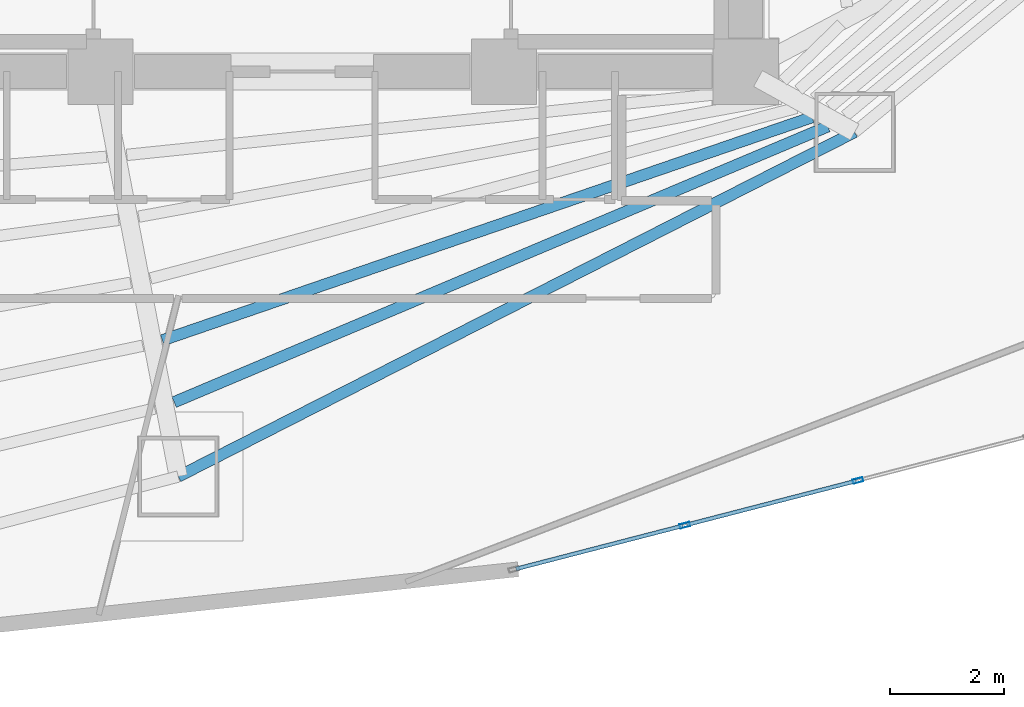
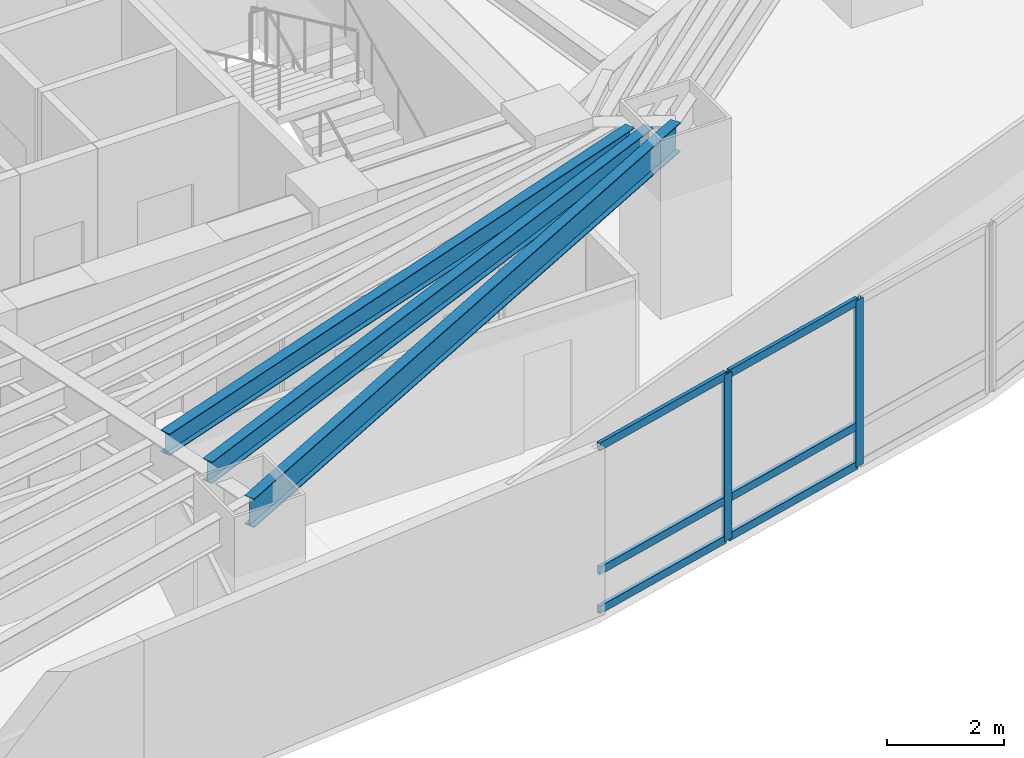
# One storey, part 5 of 20: 8 members, 3 beams, 1 element without a shape of its own.
"""IFC4 building model written with IfcOpenShell, lengths in metres."""

from ifc_helpers import new_model, si_unit, direction, frame, origin, origin_2d, place, context, subcontext, project, spatial, hollow_rectangle, i_section, extrude, material, layer, layer_set, material_profile, profile_set, type_object, element, aggregate, save


model = new_model("IFC4")

# Units and contexts
model_context = context("Model", 3, precision=1e-05, world=origin(), true_north=direction((0.0, 1.0)))
body_context = subcontext(model_context, "Body", "Model", "MODEL_VIEW")
ifc_project = project(units=[si_unit("LENGTHUNIT", "METRE"), si_unit("AREAUNIT", "SQUARE_METRE"), si_unit("VOLUMEUNIT", "CUBIC_METRE"), si_unit("PLANEANGLEUNIT", "RADIAN"), si_unit("MASSUNIT", "GRAM", prefix="KILO")], contexts=[model_context])

# Site, building, storey
site_placement = place(None, origin())
site = spatial("IfcSite", under=ifc_project, at=site_placement, CompositionType="ELEMENT")
building_placement = place(site_placement, origin())
building = spatial("IfcBuilding", under=site, at=building_placement, Name="Menara Vayukalpa", CompositionType="ELEMENT")
storey_placement = place(building_placement, frame((0.0, 0.0, 61.080078125)))
storey = spatial("IfcBuildingStorey", under=building, at=storey_placement, Name="L14", CompositionType="ELEMENT", Elevation=61.080078125)

# Beams
ifc_material_1 = material(Name="Steel S355", Category="steel")
ifc_material_profile_1 = material_profile(ifc_material_1, i_section(OverallWidth=0.199951171875, OverallDepth=0.449951171875, WebThickness=0.009033203125, FlangeThickness=0.013916015625, at=origin_2d()), Name="WF 450x200x9x14")
ifc_profile_set_1 = profile_set([ifc_material_profile_1], Name="Steel S355")
beam_type_1 = type_object("IfcBeamType", Name="BM-SJ1", PredefinedType="JOIST", material=ifc_profile_set_1)
beam_1_placement = place(storey_placement, frame((23.14013671875, 12.473876953125, 3.244873046875), z_axis=(0.945794261669, 0.324766400038, 0.0), x_axis=(-0.324766400038, 0.945794261669, 0.0)))
element("IfcBeam", 1, at=beam_1_placement, inside=storey, type_object=beam_type_1, Name="L14 Secondary Floor Joist SJ08-4", PredefinedType="JOIST", context=body_context, shape_type="SweptSolid", body=[
    extrude(i_section(OverallWidth=0.199951171875, OverallDepth=0.449951171875, WebThickness=0.009033203125, FlangeThickness=0.013916015625, at=origin_2d()), origin(), (0.0, 0.0, 1.0), 12.0849609375),
])
beam_2_placement = place(storey_placement, frame((23.34716796875, 11.385009765625, 3.244873046875), z_axis=(0.921359344435, 0.38871192215, 0.0), x_axis=(-0.38871192215, 0.921359344435, 0.0)))
element("IfcBeam", 2, at=beam_2_placement, inside=storey, type_object=beam_type_1, Name="L14 Secondary Floor Joist SJ08-5", PredefinedType="JOIST", context=body_context, shape_type="SweptSolid", body=[
    extrude(i_section(OverallWidth=0.199951171875, OverallDepth=0.449951171875, WebThickness=0.009033203125, FlangeThickness=0.013916015625, at=origin_2d()), origin(), (0.0, 0.0, 1.0), 12.48046875),
])
ifc_material_2 = material(Name="Steel S355", Category="steel")
ifc_material_profile_2 = material_profile(ifc_material_2, i_section(OverallWidth=0.199951171875, OverallDepth=0.60009765625, WebThickness=0.010986328125, FlangeThickness=0.01708984375, at=origin_2d()), Name="WF 600x200x11x17")
ifc_profile_set_2 = profile_set([ifc_material_profile_2], Name="Steel S355")
beam_type_2 = type_object("IfcBeamType", Name="BM-SP1", PredefinedType="SPANDREL", material=ifc_profile_set_2)
beam_3_placement = place(storey_placement, frame((23.41943359375, 10.0771484375, 3.169921875), z_axis=(0.891100743313, 0.453805536841, 0.0), x_axis=(-0.453805536841, 0.891100743313, 0.0)))
element("IfcBeam", 3, at=beam_3_placement, inside=storey, type_object=beam_type_2, Name="L14 Perimeter Spandrel Beam SP08", PredefinedType="SPANDREL", context=body_context, shape_type="SweptSolid", body=[
    extrude(i_section(OverallWidth=0.199951171875, OverallDepth=0.60009765625, WebThickness=0.010986328125, FlangeThickness=0.01708984375, at=origin_2d()), origin(), (0.0, 0.0, 1.0), 13.352783203125),
])

# Curtain wall, members
ifc_material_3 = material(Name="Anodised Terracotta Aluminium Alloy 6063-T6", Category="masonry")
ifc_layer = layer(ifc_material_3, 0.179931640625)
ifc_layer_set = layer_set([ifc_layer], Name="Anodised Terracotta Aluminium Alloy 6063-T6")
curtain_wall_type = type_object("IfcCurtainWallType", Name="CW-CW4", PredefinedType="USERDEFINED", material=ifc_layer_set)
curtain_wall_placement = place(storey_placement, origin())
curtain_wall = element("IfcCurtainWall", 4, at=curtain_wall_placement, inside=storey, type_object=curtain_wall_type, Name="L14 Sky Bar Cantilever Glazed Curtain Wall CW4 16", ObjectType="UNITISED", PredefinedType="USERDEFINED")
ifc_material_4 = material(Name="Anodised Terracotta Aluminium Alloy 6063-T6", Category="masonry")
ifc_material_profile_3 = material_profile(ifc_material_4, hollow_rectangle(XDim=0.074951171875, YDim=0.179931640625, WallThickness=0.00390625, at=origin_2d()), Name="ALU 75x180x4")
ifc_profile_set_3 = profile_set([ifc_material_profile_3], Name="Anodised Terracotta Aluminium Alloy 6063-T6")
member_type_1 = type_object("IfcMemberType", Name="CWM-CW4", PredefinedType="MULLION", material=ifc_profile_set_3)
member_1_placement = place(storey_placement, frame((32.332275390625, 9.219482421875, 0.0), z_axis=(0.0, 0.0, 1.0), x_axis=(-0.25040286747, 0.968141727209, 0.0)))
member_1 = element("IfcMember", 5, at=member_1_placement, type_object=member_type_1, Name="CW4 mullion 2", PredefinedType="MULLION", context=body_context, shape_type="SweptSolid", body=[
    extrude(hollow_rectangle(XDim=0.074951171875, YDim=0.179931640625, WallThickness=0.00390625, at=origin_2d()), origin(), (0.0, 0.0, 1.0), 3.469970703125),
])
member_2_placement = place(storey_placement, frame((35.376220703125, 10.006591796875, 0.0), z_axis=(0.0, 0.0, 1.0), x_axis=(-0.25040286747, 0.968141727209, 0.0)))
member_2 = element("IfcMember", 6, at=member_2_placement, type_object=member_type_1, Name="CW4 mullion 3", PredefinedType="MULLION", context=body_context, shape_type="SweptSolid", body=[
    extrude(hollow_rectangle(XDim=0.074951171875, YDim=0.179931640625, WallThickness=0.00390625, at=origin_2d()), origin(), (0.0, 0.0, 1.0), 3.469970703125),
])
ifc_material_5 = material(Name="Anodised Terracotta Aluminium Alloy 6063-T6", Category="masonry")
ifc_material_profile_4 = material_profile(ifc_material_5, hollow_rectangle(XDim=0.070068359375, YDim=0.1650390625, WallThickness=0.00390625, at=origin_2d()), Name="ALU 70x165x4")
ifc_profile_set_4 = profile_set([ifc_material_profile_4], Name="Anodised Terracotta Aluminium Alloy 6063-T6")
member_type_2 = type_object("IfcMemberType", Name="CWT-CW4", PredefinedType="USERDEFINED", material=ifc_profile_set_4)
member_3_placement = place(storey_placement, frame((29.36083984375, 8.450927734375, 0.034912109375), z_axis=(0.968149604166, 0.250372410527, 0.0), x_axis=(-0.250372410527, 0.968149604166, 0.0)))
member_3 = element("IfcMember", 7, at=member_3_placement, type_object=member_type_2, Name="CW4 transom 1.1", ObjectType="TRANSOM", PredefinedType="USERDEFINED", context=body_context, shape_type="SweptSolid", body=[
    extrude(hollow_rectangle(XDim=0.070068359375, YDim=0.1650390625, WallThickness=0.00390625, at=origin_2d()), origin(), (0.0, 0.0, 1.0), 3.03173828125),
])
member_4_placement = place(storey_placement, frame((29.36083984375, 8.450927734375, 0.849853515625), z_axis=(0.968149604166, 0.250372410527, 0.0), x_axis=(-0.250372410527, 0.968149604166, 0.0)))
member_4 = element("IfcMember", 8, at=member_4_placement, type_object=member_type_2, Name="CW4 transom 1.2", ObjectType="TRANSOM", PredefinedType="USERDEFINED", context=body_context, shape_type="SweptSolid", body=[
    extrude(hollow_rectangle(XDim=0.070068359375, YDim=0.1650390625, WallThickness=0.00390625, at=origin_2d()), origin(), (0.0, 0.0, 1.0), 3.03173828125),
])
member_5_placement = place(storey_placement, frame((29.36083984375, 8.450927734375, 3.434814453125), z_axis=(0.968149604166, 0.250372410527, 0.0), x_axis=(-0.250372410527, 0.968149604166, 0.0)))
member_5 = element("IfcMember", 9, at=member_5_placement, type_object=member_type_2, Name="CW4 transom 1.3", ObjectType="TRANSOM", PredefinedType="USERDEFINED", context=body_context, shape_type="SweptSolid", body=[
    extrude(hollow_rectangle(XDim=0.070068359375, YDim=0.1650390625, WallThickness=0.00390625, at=origin_2d()), origin(), (0.0, 0.0, 1.0), 3.03173828125),
])
member_6_placement = place(storey_placement, frame((32.368408203125, 9.228759765625, 0.034912109375), z_axis=(0.968140594701, 0.250407246086, 0.0), x_axis=(-0.250407246086, 0.968140594701, 0.0)))
member_6 = element("IfcMember", 10, at=member_6_placement, type_object=member_type_2, Name="CW4 transom 2.1", ObjectType="TRANSOM", PredefinedType="USERDEFINED", context=body_context, shape_type="SweptSolid", body=[
    extrude(hollow_rectangle(XDim=0.070068359375, YDim=0.1650390625, WallThickness=0.00390625, at=origin_2d()), origin(), (0.0, 0.0, 1.0), 3.0693359375),
])
member_7_placement = place(storey_placement, frame((32.368408203125, 9.228759765625, 0.849853515625), z_axis=(0.968140594701, 0.250407246086, 0.0), x_axis=(-0.250407246086, 0.968140594701, 0.0)))
member_7 = element("IfcMember", 11, at=member_7_placement, type_object=member_type_2, Name="CW4 transom 2.2", ObjectType="TRANSOM", PredefinedType="USERDEFINED", context=body_context, shape_type="SweptSolid", body=[
    extrude(hollow_rectangle(XDim=0.070068359375, YDim=0.1650390625, WallThickness=0.00390625, at=origin_2d()), origin(), (0.0, 0.0, 1.0), 3.0693359375),
])
member_8_placement = place(storey_placement, frame((32.368408203125, 9.228759765625, 3.434814453125), z_axis=(0.968140594701, 0.250407246086, 0.0), x_axis=(-0.250407246086, 0.968140594701, 0.0)))
member_8 = element("IfcMember", 12, at=member_8_placement, type_object=member_type_2, Name="CW4 transom 2.3", ObjectType="TRANSOM", PredefinedType="USERDEFINED", context=body_context, shape_type="SweptSolid", body=[
    extrude(hollow_rectangle(XDim=0.070068359375, YDim=0.1650390625, WallThickness=0.00390625, at=origin_2d()), origin(), (0.0, 0.0, 1.0), 3.0693359375),
])
aggregate(curtain_wall, [member_1, member_2, member_3, member_4, member_5, member_6, member_7, member_8])

save(model, "model.ifc")
